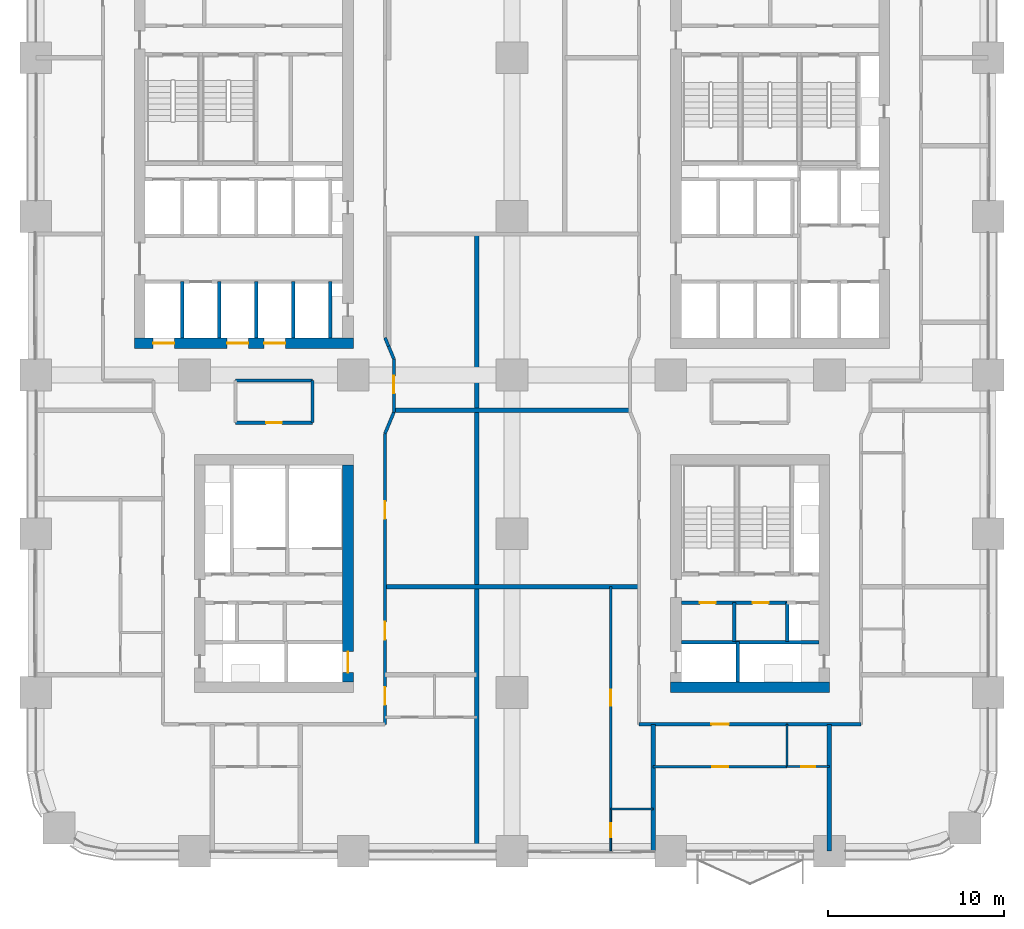
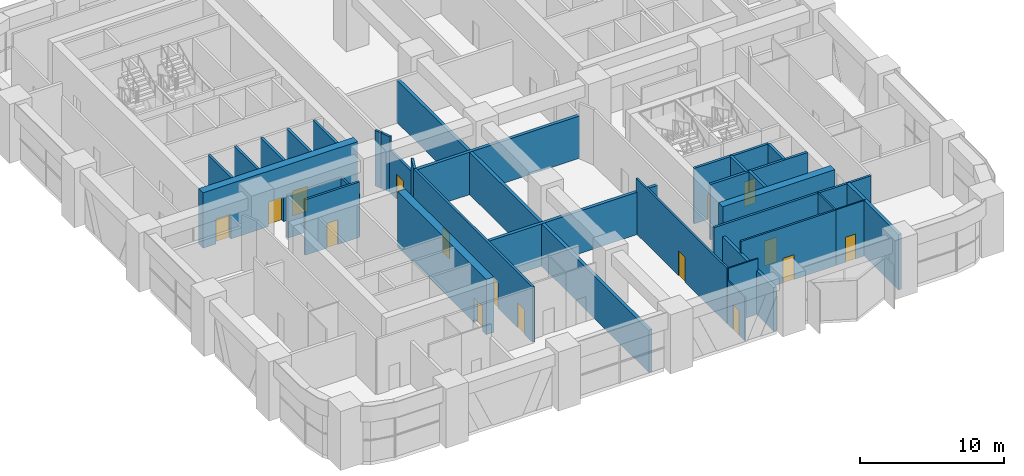
# One storey, part 16 of 26: 33 walls, 16 doors, 16 openings.
"""IFC4 building model written with IfcOpenShell, lengths in metres."""

import ifcopenshell
import ifcopenshell.guid

model = None  # the IFC model being written
_history = None  # IfcOwnerHistory: only IFC2X3 demands one
_inside = {}  # id of a spatial element -> (the spatial element, [elements in it])
_under = {}  # id of a project, library or spatial element -> (it, [spatial elements below it])
_declared = {}  # id of a project -> (the project, [libraries it declares])
_typed = {}  # id of a type object -> (the type object, [elements of that type])
_made_of = {}  # id of a material, layer set ... -> (it, [elements and type objects made of it])


def new_model(schema):
    """Start an empty IFC model of exactly this schema.

    Asked for "IFC4X3", IfcOpenShell would pick the latest addendum, in which some entities
    have other attributes; the version numbers below select the first issue.
    IFC2X3 requires an IfcOwnerHistory on every rooted entity: one is made here for all.
    """
    global model, _history
    if schema == "IFC4X3":
        model = ifcopenshell.file(schema_version=(4, 3, 0, 0))
    else:
        model = ifcopenshell.file(schema=schema)
    _inside.clear()
    _under.clear()
    _declared.clear()
    _typed.clear()
    _made_of.clear()
    _history = None
    if model.schema == "IFC2X3":
        org = make("IfcOrganization", Name="unknown")
        user = make(
            "IfcPersonAndOrganization",
            ThePerson=make("IfcPerson", FamilyName="unknown"),
            TheOrganization=org,
        )
        app = make(
            "IfcApplication",
            ApplicationDeveloper=org,
            Version="unknown",
            ApplicationFullName="unknown",
            ApplicationIdentifier="unknown",
        )
        _history = make(
            "IfcOwnerHistory",
            OwningUser=user,
            OwningApplication=app,
            ChangeAction="ADDED",
            CreationDate=0,
        )
    return model


def make(cls, **values):
    """One entity of the class cls with the attributes given. An attribute that is None is left unset."""
    return model.create_entity(
        cls, **{name: value for name, value in values.items() if value is not None}
    )


def rooted(cls, **values):
    """An entity with a GlobalId (a new one), such as an element, a storey or a relation."""
    return make(cls, GlobalId=ifcopenshell.guid.new(), OwnerHistory=_history, **values)


def si_unit(unit_type, name, prefix=None):
    """IfcSIUnit, for example si_unit("LENGTHUNIT", "METRE", prefix="MILLI")."""
    return make("IfcSIUnit", UnitType=unit_type, Prefix=prefix, Name=name)


def assignment(units):
    """IfcUnitAssignment: the units of a project."""
    return None if units is None else make("IfcUnitAssignment", Units=units)


def point(xyz):
    """IfcCartesianPoint."""
    return None if xyz is None else make("IfcCartesianPoint", Coordinates=xyz)


def direction(xyz):
    """IfcDirection."""
    return None if xyz is None else make("IfcDirection", DirectionRatios=xyz)


def frame(location, z_axis=None, x_axis=None):
    """IfcAxis2Placement3D, a coordinate frame: its origin and axes. An axis left out is left unset."""
    return make(
        "IfcAxis2Placement3D",
        Location=point(location),
        Axis=direction(z_axis),
        RefDirection=direction(x_axis),
    )


def frame_2d(location, x_axis=None):
    """IfcAxis2Placement2D, a coordinate frame in the plane: its origin and x axis."""
    return make(
        "IfcAxis2Placement2D", Location=point(location), RefDirection=direction(x_axis)
    )


def origin():
    """The frame at (0, 0, 0) with its axes left unset."""
    return frame((0.0, 0.0, 0.0))


def place(relative_to, where):
    """IfcLocalPlacement: puts the frame where relative to a parent placement (None: the world)."""
    return make(
        "IfcLocalPlacement", PlacementRelTo=relative_to, RelativePlacement=where
    )


def context(
    kind, dimensions, precision=None, world=None, true_north=None, identifier=None
):
    """IfcGeometricRepresentationContext, for example the 3D "Model" context."""
    return make(
        "IfcGeometricRepresentationContext",
        ContextIdentifier=identifier,
        ContextType=kind,
        CoordinateSpaceDimension=dimensions,
        Precision=precision,
        WorldCoordinateSystem=world,
        TrueNorth=true_north,
    )


def subcontext(parent, identifier, kind, view, scale=None):
    """IfcGeometricRepresentationSubContext, for example "Body" below "Model"."""
    return make(
        "IfcGeometricRepresentationSubContext",
        ContextIdentifier=identifier,
        ContextType=kind,
        ParentContext=parent,
        TargetScale=scale,
        TargetView=view,
    )


def project(units=None, contexts=None):
    """IfcProject with its units and contexts."""
    return rooted(
        "IfcProject",
        Name="project",
        RepresentationContexts=contexts,
        UnitsInContext=assignment(units),
    )


def spatial(cls, under=None, at=None, **own):
    """A site, building, storey or space (cls), placed at a placement, below another one or the project."""
    s = rooted(cls, ObjectPlacement=at, **own)
    if under is not None:
        _under.setdefault(under.id(), (under, []))[1].append(s)
    return s


def profile(cls, at=None, kind="AREA", **sizes):
    """A parametric profile (cls). Its sizes go by their IFC names, for example OverallWidth=200.0."""
    return make(cls, ProfileType=kind, Position=at, **sizes)


def rectangle(**sizes):
    """IfcRectangleProfileDef."""
    return profile("IfcRectangleProfileDef", **sizes)


def extrude(swept, where, along, depth):
    """IfcExtrudedAreaSolid: the profile swept, set in the frame where, extruded along a direction by depth."""
    return make(
        "IfcExtrudedAreaSolid",
        SweptArea=swept,
        Position=where,
        ExtrudedDirection=direction(along),
        Depth=depth,
    )


def shape(context_of_items, identifier, shape_type, items):
    """IfcShapeRepresentation: the items that make up one representation, for example the "Body"."""
    return make(
        "IfcShapeRepresentation",
        ContextOfItems=context_of_items,
        RepresentationIdentifier=identifier,
        RepresentationType=shape_type,
        Items=items,
    )


def material(Name=None, Category=None):
    """IfcMaterial."""
    return make("IfcMaterial", Name=Name, Category=Category)


def layer(
    of_material, thickness, ventilated=None, Name=None, Category=None, Priority=None
):
    """IfcMaterialLayer: one layer of a wall or slab, of a material (None: an air gap)."""
    return make(
        "IfcMaterialLayer",
        Material=of_material,
        LayerThickness=thickness,
        IsVentilated=ventilated,
        Name=Name,
        Category=Category,
        Priority=Priority,
    )


def layer_set(layers, Name=None):
    """IfcMaterialLayerSet."""
    return make("IfcMaterialLayerSet", MaterialLayers=layers, LayerSetName=Name)


def made_of(thing, what):
    """Note that an element or type object is made of a material, layer set ...; save() writes the relation."""
    if what is not None:
        _made_of.setdefault(what.id(), (what, []))[1].append(thing)
    return thing


def type_object(cls, material=None, **own):
    """A type object (cls), such as IfcWallType, which elements share."""
    return made_of(rooted(cls, **own), material)


def element(
    cls,
    number,
    at=None,
    inside=None,
    cuts=None,
    type_object=None,
    material=None,
    context=None,
    identifier="Body",
    shape_type=None,
    held_by="IfcProductDefinitionShape",
    body=None,
    shapes=None,
    **own,
):
    """One element of the class cls, such as IfcWall. Its Tag is "e" and its number.

    at: its placement. inside: the storey or other place that contains it. cuts: it is an
    opening in that element (IfcRelVoidsElement). A single representation is given by context,
    identifier, shape_type and body (its items); several are given by shapes. held_by: the class
    of the entity that holds the representations. save() writes the other relations.
    """
    e = rooted(cls, Tag="e%d" % number, ObjectPlacement=at, **own)
    if body is not None:
        shapes = [shape(context, identifier, shape_type, body)]
    if shapes is not None:
        e.Representation = make(held_by, Representations=shapes)
    if inside is not None:
        _inside.setdefault(inside.id(), (inside, []))[1].append(e)
    if cuts is not None:
        rooted(
            "IfcRelVoidsElement", RelatingBuildingElement=cuts, RelatedOpeningElement=e
        )
    if type_object is not None:
        _typed.setdefault(type_object.id(), (type_object, []))[1].append(e)
    return made_of(e, material)


def fill(opening, filler):
    """IfcRelFillsElement: the door or window that sits in an opening."""
    return rooted(
        "IfcRelFillsElement",
        RelatingOpeningElement=opening,
        RelatedBuildingElement=filler,
    )


def aggregate(whole, parts):
    """IfcRelAggregates: a whole, such as a stair, and the parts it consists of."""
    return rooted("IfcRelAggregates", RelatingObject=whole, RelatedObjects=parts)


def save(model, path):
    """Write the relations noted so far, then the file.

    IfcRelAggregates (storeys below a building ...), IfcRelContainedInSpatialStructure (elements
    in a storey), IfcRelDefinesByType, IfcRelAssociatesMaterial and IfcRelDeclares: one each for
    every whole, place, type object, material and project.
    """
    for whole, parts in _under.values():
        aggregate(whole, parts)
    for where, things in _inside.values():
        rooted(
            "IfcRelContainedInSpatialStructure",
            RelatedElements=things,
            RelatingStructure=where,
        )
    for kind, things in _typed.values():
        rooted("IfcRelDefinesByType", RelatedObjects=things, RelatingType=kind)
    for what, things in _made_of.values():
        rooted("IfcRelAssociatesMaterial", RelatedObjects=things, RelatingMaterial=what)
    for by, libraries in _declared.values():
        rooted("IfcRelDeclares", RelatingContext=by, RelatedDefinitions=libraries)
    model.write(path)


model = new_model("IFC4")

# Units and contexts
model_context = context("Model", 3, precision=1e-05, world=origin(), true_north=direction((0.0, 1.0)))
body_context = subcontext(model_context, "Body", "Model", "MODEL_VIEW")
ifc_project = project(units=[si_unit("LENGTHUNIT", "METRE"), si_unit("AREAUNIT", "SQUARE_METRE"), si_unit("VOLUMEUNIT", "CUBIC_METRE"), si_unit("PLANEANGLEUNIT", "RADIAN"), si_unit("MASSUNIT", "GRAM", prefix="KILO")], contexts=[model_context])

# Site, building, storey
site_placement = place(None, origin())
site = spatial("IfcSite", under=ifc_project, at=site_placement, CompositionType="ELEMENT")
building_placement = place(site_placement, origin())
building = spatial("IfcBuilding", under=site, at=building_placement, Name="Tessera Arch", CompositionType="ELEMENT")
storey_placement = place(building_placement, frame((0.0, 0.0, 72.800048828125)))
storey = spatial("IfcBuildingStorey", under=building, at=storey_placement, Name="L16", CompositionType="ELEMENT", Elevation=72.800048828125)

# Wall
ifc_material_1 = material(Name="Gypsum board on steel stud", Category="steel")
ifc_layer_1 = layer(ifc_material_1, 0.125)
ifc_layer_set_1 = layer_set([ifc_layer_1], Name="Core partition 125 EI 60")
wall_type_1 = type_object("IfcWallType", Name="Core partition 125 EI 60", PredefinedType="PARTITIONING", material=ifc_layer_set_1)
wall_1_placement = place(storey_placement, frame((39.60009765625, 11.89990234375, 0.0), z_axis=(0.0, 0.0, 1.0), x_axis=(0.0, 1.0, 0.0)))
element("IfcWall", 1, at=wall_1_placement, inside=storey, type_object=wall_type_1, Name="L16 C3 partition wall 1", PredefinedType="PARTITIONING", context=body_context, shape_type="SweptSolid", body=[
    extrude(rectangle(XDim=2.2001953125, YDim=0.199951171875, at=frame_2d((1.10009765625, 0.0))), origin(), (0.0, 0.0, 1.0), 4.699951171875),
])

# Wall, openings, doors
wall_2_placement = place(storey_placement, frame((36.60009765625, 14.10009765625, 0.0), z_axis=(0.0, 0.0, 1.0), x_axis=(1.0, 0.0, 0.0)))
wall_2 = element("IfcWall", 2, at=wall_2_placement, inside=storey, type_object=wall_type_1, Name="L16 C3 partition wall 11", PredefinedType="PARTITIONING", context=body_context, shape_type="SweptSolid", body=[
    extrude(rectangle(XDim=6.0, YDim=0.199951171875, at=frame_2d((3.0, 0.0))), origin(), (0.0, 0.0, 1.0), 4.699951171875),
])
opening_1_placement = place(wall_2_placement, frame((1.050048828125, 0.0, 0.0)))
opening_1 = element("IfcOpeningElement", 3, at=opening_1_placement, cuts=wall_2, Name="Opening L16-C39", PredefinedType="OPENING", context=body_context, shape_type="SweptSolid", body=[
    extrude(rectangle(XDim=0.89990234375, YDim=2.10009765625, at=frame_2d((0.449951171875, 1.050048828125))), frame((0.0, 0.10986328125, 0.0), z_axis=(0.0, -1.0, 0.0), x_axis=(1.0, 0.0, 0.0)), (0.0, 0.0, 1.0), 0.219970703125),
])
opening_2_placement = place(wall_2_placement, frame((4.050048828125, 0.0, 0.0)))
opening_2 = element("IfcOpeningElement", 4, at=opening_2_placement, cuts=wall_2, Name="Opening L16-C40", PredefinedType="OPENING", context=body_context, shape_type="SweptSolid", body=[
    extrude(rectangle(XDim=0.89990234375, YDim=2.10009765625, at=frame_2d((0.449951171875, 1.050048828125))), frame((0.0, 0.10986328125, 0.0), z_axis=(0.0, -1.0, 0.0), x_axis=(1.0, 0.0, 0.0)), (0.0, 0.0, 1.0), 0.219970703125),
])
ifc_material_2 = material(Name="Steel door leaf", Category="steel")
door_type_1 = type_object("IfcDoorType", Name="Store door FD30S 900 x 2100", OperationType="SINGLE_SWING_LEFT", PredefinedType="DOOR", material=ifc_material_2)
door_1_placement = place(opening_1_placement, origin())
door_1 = element("IfcDoor", 5, at=door_1_placement, inside=storey, type_object=door_type_1, Name="L16 C3 door 8 C39 type D09", OperationType="SINGLE_SWING_LEFT", OverallHeight=2.10009765625, OverallWidth=0.89990234375, PredefinedType="DOOR", context=body_context, shape_type="SweptSolid", body=[
    extrude(rectangle(XDim=0.89990234375, YDim=2.10009765625, at=frame_2d((0.449951171875, 1.050048828125))), frame((0.0, 0.02490234375, 0.0), z_axis=(0.0, -1.0, 0.0), x_axis=(1.0, 0.0, 0.0)), (0.0, 0.0, 1.0), 0.050048828125),
])
fill(opening_1, door_1)
door_2_placement = place(opening_2_placement, origin())
door_2 = element("IfcDoor", 6, at=door_2_placement, inside=storey, type_object=door_type_1, Name="L16 C3 door 9 C40 type D09", OperationType="SINGLE_SWING_RIGHT", OverallHeight=2.10009765625, OverallWidth=0.89990234375, PredefinedType="DOOR", context=body_context, shape_type="SweptSolid", body=[
    extrude(rectangle(XDim=0.89990234375, YDim=2.10009765625, at=frame_2d((0.449951171875, 1.050048828125))), frame((0.0, 0.02490234375, 0.0), z_axis=(0.0, -1.0, 0.0), x_axis=(1.0, 0.0, 0.0)), (0.0, 0.0, 1.0), 0.050048828125),
])
fill(opening_2, door_2)

ifc_material_3 = material(Name="Concrete C70/85", Category="concrete")
ifc_layer_2 = layer(ifc_material_3, 0.60009765625)
ifc_layer_set_2 = layer_set([ifc_layer_2], Name="Core shell wall 600 C70-85")
wall_type_2 = type_object("IfcWallType", Name="Core shell wall 600 C70-85", PredefinedType="SHEAR", material=ifc_layer_set_2)
wall_3_placement = place(storey_placement, frame((5.60009765625, 28.800048828125, 0.0), z_axis=(0.0, 0.0, 1.0), x_axis=(1.0, 0.0, 0.0)))
wall_3 = element("IfcWall", 7, at=wall_3_placement, inside=storey, type_object=wall_type_2, Name="L16 C2 core wall S", PredefinedType="SHEAR", context=body_context, shape_type="SweptSolid", body=[
    extrude(rectangle(XDim=12.39990234375, YDim=0.60009765625, at=frame_2d((6.199951171875, 0.0))), origin(), (0.0, 0.0, 1.0), 4.699951171875),
])
opening_3_placement = place(wall_3_placement, frame((1.050048828125, 0.0, 0.0)))
opening_3 = element("IfcOpeningElement", 8, at=opening_3_placement, cuts=wall_3, Name="Opening L16-C14", PredefinedType="OPENING", context=body_context, shape_type="SweptSolid", body=[
    extrude(rectangle(XDim=1.199951171875, YDim=2.10009765625, at=frame_2d((0.60009765625, 1.050048828125))), frame((0.0, 0.31005859375, 0.0), z_axis=(0.0, -1.0, 0.0), x_axis=(1.0, 0.0, 0.0)), (0.0, 0.0, 1.0), 0.6201171875),
])
opening_4_placement = place(wall_3_placement, frame((5.25, 0.0, 0.0)))
opening_4 = element("IfcOpeningElement", 9, at=opening_4_placement, cuts=wall_3, Name="Opening L16-C16", PredefinedType="OPENING", context=body_context, shape_type="SweptSolid", body=[
    extrude(rectangle(XDim=1.199951171875, YDim=2.10009765625, at=frame_2d((0.60009765625, 1.050048828125))), frame((0.0, 0.31005859375, 0.0), z_axis=(0.0, -1.0, 0.0), x_axis=(1.0, 0.0, 0.0)), (0.0, 0.0, 1.0), 0.6201171875),
])
opening_5_placement = place(wall_3_placement, frame((7.35009765625, 0.0, 0.0)))
opening_5 = element("IfcOpeningElement", 10, at=opening_5_placement, cuts=wall_3, Name="Opening L16-C17", PredefinedType="OPENING", context=body_context, shape_type="SweptSolid", body=[
    extrude(rectangle(XDim=1.199951171875, YDim=2.10009765625, at=frame_2d((0.60009765625, 1.050048828125))), frame((0.0, 0.31005859375, 0.0), z_axis=(0.0, -1.0, 0.0), x_axis=(1.0, 0.0, 0.0)), (0.0, 0.0, 1.0), 0.6201171875),
])
ifc_material_4 = material(Name="Stainless steel AISI 304", Category="steel")
door_type_2 = type_object("IfcDoorType", Name="Sliding landing door 1200 x 2100", OperationType="SLIDING_TO_LEFT", PredefinedType="DOOR", material=ifc_material_4)
door_3_placement = place(opening_3_placement, origin())
door_3 = element("IfcDoor", 11, at=door_3_placement, inside=storey, type_object=door_type_2, Name="L16 LR1 lift landing door C14 type LD", OperationType="SLIDING_TO_LEFT", OverallHeight=2.10009765625, OverallWidth=1.199951171875, PredefinedType="DOOR", context=body_context, shape_type="SweptSolid", body=[
    extrude(rectangle(XDim=1.199951171875, YDim=2.10009765625, at=frame_2d((0.60009765625, 1.050048828125))), frame((0.0, 0.02490234375, 0.0), z_axis=(0.0, -1.0, 0.0), x_axis=(1.0, 0.0, 0.0)), (0.0, 0.0, 1.0), 0.050048828125),
])
fill(opening_3, door_3)
door_4_placement = place(opening_4_placement, origin())
door_4 = element("IfcDoor", 12, at=door_4_placement, inside=storey, type_object=door_type_2, Name="L16 LR3 lift landing door C16 type LD", OperationType="SLIDING_TO_LEFT", OverallHeight=2.10009765625, OverallWidth=1.199951171875, PredefinedType="DOOR", context=body_context, shape_type="SweptSolid", body=[
    extrude(rectangle(XDim=1.199951171875, YDim=2.10009765625, at=frame_2d((0.60009765625, 1.050048828125))), frame((0.0, 0.02490234375, 0.0), z_axis=(0.0, -1.0, 0.0), x_axis=(1.0, 0.0, 0.0)), (0.0, 0.0, 1.0), 0.050048828125),
])
fill(opening_4, door_4)
door_5_placement = place(opening_5_placement, origin())
door_5 = element("IfcDoor", 13, at=door_5_placement, inside=storey, type_object=door_type_2, Name="L16 LR4 lift landing door C17 type LD", OperationType="SLIDING_TO_LEFT", OverallHeight=2.10009765625, OverallWidth=1.199951171875, PredefinedType="DOOR", context=body_context, shape_type="SweptSolid", body=[
    extrude(rectangle(XDim=1.199951171875, YDim=2.10009765625, at=frame_2d((0.60009765625, 1.050048828125))), frame((0.0, 0.02490234375, 0.0), z_axis=(0.0, -1.0, 0.0), x_axis=(1.0, 0.0, 0.0)), (0.0, 0.0, 1.0), 0.050048828125),
])
fill(opening_5, door_5)

# Wall
wall_4_placement = place(storey_placement, frame((36.0, 9.300048828125, 0.0), z_axis=(0.0, 0.0, 1.0), x_axis=(1.0, 0.0, 0.0)))
element("IfcWall", 14, at=wall_4_placement, inside=storey, type_object=wall_type_2, Name="L16 C3 core wall S", PredefinedType="SHEAR", context=body_context, shape_type="SweptSolid", body=[
    extrude(rectangle(XDim=9.0, YDim=0.60009765625, at=frame_2d((4.5, 0.0))), origin(), (0.0, 0.0, 1.0), 4.699951171875),
])

# Wall, opening, door
wall_5_placement = place(storey_placement, frame((17.699951171875, 9.60009765625, 0.0), z_axis=(0.0, 0.0, 1.0), x_axis=(0.0, 1.0, 0.0)))
wall_5 = element("IfcWall", 15, at=wall_5_placement, inside=storey, type_object=wall_type_2, Name="L16 C4 core wall E", PredefinedType="SHEAR", context=body_context, shape_type="SweptSolid", body=[
    extrude(rectangle(XDim=12.2998046875, YDim=0.60009765625, at=frame_2d((6.14990234375, 0.0))), origin(), (0.0, 0.0, 1.0), 4.699951171875),
])
opening_6_placement = place(wall_5_placement, frame((0.52490234375, 0.0, 0.0)))
opening_6 = element("IfcOpeningElement", 16, at=opening_6_placement, cuts=wall_5, Name="Opening L16-C41", PredefinedType="OPENING", context=body_context, shape_type="SweptSolid", body=[
    extrude(rectangle(XDim=1.199951171875, YDim=2.10009765625, at=frame_2d((0.60009765625, 1.050048828125))), frame((0.0, 0.31005859375, 0.0), z_axis=(0.0, -1.0, 0.0), x_axis=(1.0, 0.0, 0.0)), (0.0, 0.0, 1.0), 0.6201171875),
])
door_6_placement = place(opening_6_placement, origin())
door_6 = element("IfcDoor", 17, at=door_6_placement, inside=storey, type_object=door_type_2, Name="L16 SV3 lift landing door C41 type LD", OperationType="SLIDING_TO_LEFT", OverallHeight=2.10009765625, OverallWidth=1.199951171875, PredefinedType="DOOR", context=body_context, shape_type="SweptSolid", body=[
    extrude(rectangle(XDim=1.199951171875, YDim=2.10009765625, at=frame_2d((0.60009765625, 1.050048828125))), frame((0.0, 0.02490234375, 0.0), z_axis=(0.0, -1.0, 0.0), x_axis=(1.0, 0.0, 0.0)), (0.0, 0.0, 1.0), 0.050048828125),
])
fill(opening_6, door_6)

ifc_material_5 = material(Name="Gypsum board on deep steel stud with mineral wool", Category="steel")
ifc_layer_3 = layer(ifc_material_5, 0.175048828125)
ifc_layer_set_3 = layer_set([ifc_layer_3], Name="Corridor wall 175 EI 60")
wall_type_3 = type_object("IfcWallType", Name="Corridor wall 175 EI 60", PredefinedType="PARTITIONING", material=ifc_layer_set_3)
wall_6_placement = place(storey_placement, frame((34.199951171875, 7.199951171875, 0.0), z_axis=(0.0, 0.0, 1.0), x_axis=(1.0, 0.0, 0.0)))
wall_6 = element("IfcWall", 18, at=wall_6_placement, inside=storey, type_object=wall_type_3, Name="L16 partition 2", PredefinedType="PARTITIONING", context=body_context, shape_type="SweptSolid", body=[
    extrude(rectangle(XDim=12.60009765625, YDim=0.175048828125, at=frame_2d((6.300048828125, 0.0))), origin(), (0.0, 0.0, 1.0), 4.699951171875),
])
opening_7_placement = place(wall_6_placement, frame((4.10009765625, 0.0, 0.0)))
opening_7 = element("IfcOpeningElement", 19, at=opening_7_placement, cuts=wall_6, Name="Opening L16-D004", PredefinedType="OPENING", context=body_context, shape_type="SweptSolid", body=[
    extrude(rectangle(XDim=1.0, YDim=2.10009765625, at=frame_2d((0.5, 1.050048828125))), frame((0.0, 0.097412109375, 0.0), z_axis=(0.0, -1.0, 0.0), x_axis=(1.0, 0.0, 0.0)), (0.0, 0.0, 1.0), 0.195068359375),
])
ifc_material_6 = material(Name="Fire-rated door leaf")
door_type_3 = type_object("IfcDoorType", Name="Entrance door FD30S 1000 x 2100", OperationType="SINGLE_SWING_LEFT", PredefinedType="DOOR", material=ifc_material_6)
door_7_placement = place(opening_7_placement, origin())
door_7 = element("IfcDoor", 20, at=door_7_placement, inside=storey, type_object=door_type_3, Name="L16 door D004 type D03", OperationType="SINGLE_SWING_LEFT", OverallHeight=2.10009765625, OverallWidth=1.0, PredefinedType="DOOR", context=body_context, shape_type="SweptSolid", body=[
    extrude(rectangle(XDim=1.0, YDim=2.10009765625, at=frame_2d((0.5, 1.050048828125))), frame((0.0, 0.02490234375, 0.0), z_axis=(0.0, -1.0, 0.0), x_axis=(1.0, 0.0, 0.0)), (0.0, 0.0, 1.0), 0.050048828125),
])
fill(opening_7, door_7)

wall_7_placement = place(storey_placement, frame((11.320068359375, 24.300048828125, 0.0), z_axis=(0.0, 0.0, 1.0), x_axis=(1.0, 0.0, 0.0)))
wall_7 = element("IfcWall", 21, at=wall_7_placement, inside=storey, type_object=wall_type_3, Name="L16 partition 3", PredefinedType="PARTITIONING", context=body_context, shape_type="SweptSolid", body=[
    extrude(rectangle(XDim=4.35986328125, YDim=0.175048828125, at=frame_2d((2.179931640625, 0.0))), origin(), (0.0, 0.0, 1.0), 4.699951171875),
])
opening_8_placement = place(wall_7_placement, frame((1.72998046875, 0.0, 0.0)))
opening_8 = element("IfcOpeningElement", 22, at=opening_8_placement, cuts=wall_7, Name="Opening L16-D028", PredefinedType="OPENING", context=body_context, shape_type="SweptSolid", body=[
    extrude(rectangle(XDim=0.89990234375, YDim=2.10009765625, at=frame_2d((0.449951171875, 1.050048828125))), frame((0.0, 0.097412109375, 0.0), z_axis=(0.0, -1.0, 0.0), x_axis=(1.0, 0.0, 0.0)), (0.0, 0.0, 1.0), 0.195068359375),
])
ifc_material_7 = material(Name="Timber door leaf", Category="wood")
door_type_4 = type_object("IfcDoorType", Name="Room door 900 x 2100", OperationType="SINGLE_SWING_LEFT", PredefinedType="DOOR", material=ifc_material_7)
door_8_placement = place(opening_8_placement, origin())
door_8 = element("IfcDoor", 23, at=door_8_placement, inside=storey, type_object=door_type_4, Name="L16 door D028 type D01", OperationType="SINGLE_SWING_RIGHT", OverallHeight=2.10009765625, OverallWidth=0.89990234375, PredefinedType="DOOR", context=body_context, shape_type="SweptSolid", body=[
    extrude(rectangle(XDim=0.89990234375, YDim=2.10009765625, at=frame_2d((0.449951171875, 1.050048828125))), frame((0.0, 0.02490234375, 0.0), z_axis=(0.0, -1.0, 0.0), x_axis=(1.0, 0.0, 0.0)), (0.0, 0.0, 1.0), 0.050048828125),
])
fill(opening_8, door_8)

# Walls
wall_8_placement = place(storey_placement, frame((11.320068359375, 26.699951171875, 0.0), z_axis=(0.0, 0.0, 1.0), x_axis=(1.0, 0.0, 0.0)))
element("IfcWall", 24, at=wall_8_placement, inside=storey, type_object=wall_type_3, Name="L16 partition 6", PredefinedType="PARTITIONING", context=body_context, shape_type="SweptSolid", body=[
    extrude(rectangle(XDim=4.35986328125, YDim=0.175048828125, at=frame_2d((2.179931640625, 0.0))), origin(), (0.0, 0.0, 1.0), 3.58984375),
])
wall_9_placement = place(storey_placement, frame((15.679931640625, 24.300048828125, 0.0), z_axis=(0.0, 0.0, 1.0), x_axis=(0.0, 1.0, 0.0)))
element("IfcWall", 25, at=wall_9_placement, inside=storey, type_object=wall_type_3, Name="L16 partition 15", PredefinedType="PARTITIONING", context=body_context, shape_type="SweptSolid", body=[
    extrude(rectangle(XDim=2.39990234375, YDim=0.175048828125, at=frame_2d((1.199951171875, 0.0))), origin(), (0.0, 0.0, 1.0), 3.58984375),
])

# Wall, openings, doors
wall_10_placement = place(storey_placement, frame((19.800048828125, 7.199951171875, 0.0), z_axis=(0.0, 0.0, 1.0), x_axis=(0.0, 1.0, 0.0)))
wall_10 = element("IfcWall", 26, at=wall_10_placement, inside=storey, type_object=wall_type_3, Name="L16 partition 16", PredefinedType="PARTITIONING", context=body_context, shape_type="SweptSolid", body=[
    extrude(rectangle(XDim=16.489990234375, YDim=0.175048828125, at=frame_2d((8.2451171875, 0.0))), origin(), (0.0, 0.0, 1.0), 4.699951171875),
])
opening_9_placement = place(wall_10_placement, frame((1.10009765625, 0.0, 0.0)))
opening_9 = element("IfcOpeningElement", 27, at=opening_9_placement, cuts=wall_10, Name="Opening L16-D007", PredefinedType="OPENING", context=body_context, shape_type="SweptSolid", body=[
    extrude(rectangle(XDim=1.0, YDim=2.10009765625, at=frame_2d((0.5, 1.050048828125))), frame((0.0, 0.097412109375, 0.0), z_axis=(0.0, -1.0, 0.0), x_axis=(1.0, 0.0, 0.0)), (0.0, 0.0, 1.0), 0.195068359375),
])
opening_10_placement = place(wall_10_placement, frame((4.800048828125, 0.0, 0.0)))
opening_10 = element("IfcOpeningElement", 28, at=opening_10_placement, cuts=wall_10, Name="Opening L16-D015", PredefinedType="OPENING", context=body_context, shape_type="SweptSolid", body=[
    extrude(rectangle(XDim=1.0, YDim=2.10009765625, at=frame_2d((0.5, 1.050048828125))), frame((0.0, 0.097412109375, 0.0), z_axis=(0.0, -1.0, 0.0), x_axis=(1.0, 0.0, 0.0)), (0.0, 0.0, 1.0), 0.195068359375),
])
opening_11_placement = place(wall_10_placement, frame((11.64501953125, 0.0, 0.0)))
opening_11 = element("IfcOpeningElement", 29, at=opening_11_placement, cuts=wall_10, Name="Opening L16-D022", PredefinedType="OPENING", context=body_context, shape_type="SweptSolid", body=[
    extrude(rectangle(XDim=1.0, YDim=2.10009765625, at=frame_2d((0.5, 1.050048828125))), frame((0.0, 0.097412109375, 0.0), z_axis=(0.0, -1.0, 0.0), x_axis=(1.0, 0.0, 0.0)), (0.0, 0.0, 1.0), 0.195068359375),
])
door_9_placement = place(opening_9_placement, origin())
door_9 = element("IfcDoor", 30, at=door_9_placement, inside=storey, type_object=door_type_3, Name="L16 door D007 type D03", OperationType="SINGLE_SWING_RIGHT", OverallHeight=2.10009765625, OverallWidth=1.0, PredefinedType="DOOR", context=body_context, shape_type="SweptSolid", body=[
    extrude(rectangle(XDim=1.0, YDim=2.10009765625, at=frame_2d((0.5, 1.050048828125))), frame((0.0, 0.02490234375, 0.0), z_axis=(0.0, -1.0, 0.0), x_axis=(1.0, 0.0, 0.0)), (0.0, 0.0, 1.0), 0.050048828125),
])
fill(opening_9, door_9)
door_10_placement = place(opening_10_placement, origin())
door_10 = element("IfcDoor", 31, at=door_10_placement, inside=storey, type_object=door_type_3, Name="L16 door D015 type D03", OperationType="SINGLE_SWING_RIGHT", OverallHeight=2.10009765625, OverallWidth=1.0, PredefinedType="DOOR", context=body_context, shape_type="SweptSolid", body=[
    extrude(rectangle(XDim=1.0, YDim=2.10009765625, at=frame_2d((0.5, 1.050048828125))), frame((0.0, 0.02490234375, 0.0), z_axis=(0.0, -1.0, 0.0), x_axis=(1.0, 0.0, 0.0)), (0.0, 0.0, 1.0), 0.050048828125),
])
fill(opening_10, door_10)
door_11_placement = place(opening_11_placement, origin())
door_11 = element("IfcDoor", 32, at=door_11_placement, inside=storey, type_object=door_type_3, Name="L16 door D022 type D03", OperationType="SINGLE_SWING_LEFT", OverallHeight=2.10009765625, OverallWidth=1.0, PredefinedType="DOOR", context=body_context, shape_type="SweptSolid", body=[
    extrude(rectangle(XDim=1.0, YDim=2.10009765625, at=frame_2d((0.5, 1.050048828125))), frame((0.0, 0.02490234375, 0.0), z_axis=(0.0, -1.0, 0.0), x_axis=(1.0, 0.0, 0.0)), (0.0, 0.0, 1.0), 0.050048828125),
])
fill(opening_11, door_11)

# Wall, opening, door
wall_11_placement = place(storey_placement, frame((20.300048828125, 24.889892578125, 0.0), z_axis=(0.0, 0.0, 1.0), x_axis=(0.0, 1.0, 0.0)))
wall_11 = element("IfcWall", 33, at=wall_11_placement, inside=storey, type_object=wall_type_3, Name="L16 partition 18", PredefinedType="PARTITIONING", context=body_context, shape_type="SweptSolid", body=[
    extrude(rectangle(XDim=3.030029296875, YDim=0.175048828125, at=frame_2d((1.51513671875, 0.0))), origin(), (0.0, 0.0, 1.0), 3.58984375),
])
opening_12_placement = place(wall_11_placement, frame((1.070068359375, 0.0, 0.0)))
opening_12 = element("IfcOpeningElement", 34, at=opening_12_placement, cuts=wall_11, Name="Opening L16-D032", PredefinedType="OPENING", context=body_context, shape_type="SweptSolid", body=[
    extrude(rectangle(XDim=1.0, YDim=2.10009765625, at=frame_2d((0.5, 1.050048828125))), frame((0.0, 0.097412109375, 0.0), z_axis=(0.0, -1.0, 0.0), x_axis=(1.0, 0.0, 0.0)), (0.0, 0.0, 1.0), 0.195068359375),
])
door_12_placement = place(opening_12_placement, origin())
door_12 = element("IfcDoor", 35, at=door_12_placement, inside=storey, type_object=door_type_3, Name="L16 door D032 type D03", OperationType="SINGLE_SWING_LEFT", OverallHeight=2.10009765625, OverallWidth=1.0, PredefinedType="DOOR", context=body_context, shape_type="SweptSolid", body=[
    extrude(rectangle(XDim=1.0, YDim=2.10009765625, at=frame_2d((0.5, 1.050048828125))), frame((0.0, 0.02490234375, 0.0), z_axis=(0.0, -1.0, 0.0), x_axis=(1.0, 0.0, 0.0)), (0.0, 0.0, 1.0), 0.050048828125),
])
fill(opening_12, door_12)

# Walls
wall_12_placement = place(storey_placement, frame((20.300048828125, 24.889892578125, 0.0), z_axis=(0.0, 0.0, 1.0), x_axis=(-0.384628719983, -0.923071366561, 0.0)))
element("IfcWall", 36, at=wall_12_placement, inside=storey, type_object=wall_type_3, Name="L16 partition 79", PredefinedType="PARTITIONING", context=body_context, shape_type="SweptSolid", body=[
    extrude(rectangle(XDim=1.300048828125, YDim=0.175048828125, at=frame_2d((0.64990234375, 0.0))), origin(), (0.0, 0.0, 1.0), 4.699951171875),
])
wall_13_placement = place(storey_placement, frame((20.0, 28.639892578125, 0.0), z_axis=(0.0, 0.0, 1.0), x_axis=(0.384682059045, -0.923049139238, 0.0)))
element("IfcWall", 37, at=wall_13_placement, inside=storey, type_object=wall_type_3, Name="L16 partition 81", PredefinedType="PARTITIONING", context=body_context, shape_type="SweptSolid", body=[
    extrude(rectangle(XDim=0.780029296875, YDim=0.175048828125, at=frame_2d((0.39013671875, 0.0))), origin(), (0.0, 0.0, 1.0), 4.699951171875),
])
wall_14_placement = place(storey_placement, frame((19.800048828125, 29.1201171875, 0.0), z_axis=(0.0, 0.0, 1.0), x_axis=(0.384382095383, -0.92317409233, 0.0)))
element("IfcWall", 38, at=wall_14_placement, inside=storey, type_object=wall_type_3, Name="L16 partition 82", PredefinedType="PARTITIONING", context=body_context, shape_type="SweptSolid", body=[
    extrude(rectangle(XDim=0.520263671875, YDim=0.175048828125, at=frame_2d((0.26025390625, 0.0))), origin(), (0.0, 0.0, 1.0), 4.699951171875),
])

# Wall, opening, door
ifc_material_8 = material(Name="Gypsum board on steel stud", Category="steel")
ifc_layer_4 = layer(ifc_material_8, 0.14990234375)
ifc_layer_set_4 = layer_set([ifc_layer_4], Name="Partition 150")
wall_type_4 = type_object("IfcWallType", Name="Partition 150", PredefinedType="PARTITIONING", material=ifc_layer_set_4)
wall_15_placement = place(storey_placement, frame((35.0, 4.800048828125, 0.0), z_axis=(0.0, 0.0, 1.0), x_axis=(1.0, 0.0, 0.0)))
wall_15 = element("IfcWall", 39, at=wall_15_placement, inside=storey, type_object=wall_type_4, Name="L16 partition 28", PredefinedType="PARTITIONING", context=body_context, shape_type="SweptSolid", body=[
    extrude(rectangle(XDim=7.60009765625, YDim=0.14990234375, at=frame_2d((3.800048828125, 0.0))), origin(), (0.0, 0.0, 1.0), 4.699951171875),
])
opening_13_placement = place(wall_15_placement, frame((3.35009765625, 0.0, 0.0)))
opening_13 = element("IfcOpeningElement", 40, at=opening_13_placement, cuts=wall_15, Name="Opening L16-D005", PredefinedType="OPENING", context=body_context, shape_type="SweptSolid", body=[
    extrude(rectangle(XDim=0.89990234375, YDim=2.10009765625, at=frame_2d((0.449951171875, 1.050048828125))), frame((0.0, 0.0849609375, 0.0), z_axis=(0.0, -1.0, 0.0), x_axis=(1.0, 0.0, 0.0)), (0.0, 0.0, 1.0), 0.169921875),
])
door_13_placement = place(opening_13_placement, origin())
door_13 = element("IfcDoor", 41, at=door_13_placement, inside=storey, type_object=door_type_4, Name="L16 door D005 type D01", OperationType="SINGLE_SWING_RIGHT", OverallHeight=2.10009765625, OverallWidth=0.89990234375, PredefinedType="DOOR", context=body_context, shape_type="SweptSolid", body=[
    extrude(rectangle(XDim=0.89990234375, YDim=2.10009765625, at=frame_2d((0.449951171875, 1.050048828125))), frame((0.0, 0.02490234375, 0.0), z_axis=(0.0, -1.0, 0.0), x_axis=(1.0, 0.0, 0.0)), (0.0, 0.0, 1.0), 0.050048828125),
])
fill(opening_13, door_13)

wall_16_placement = place(storey_placement, frame((32.60009765625, 2.39990234375, 0.0), z_axis=(0.0, 0.0, 1.0), x_axis=(0.0, 1.0, 0.0)))
wall_16 = element("IfcWall", 42, at=wall_16_placement, inside=storey, type_object=wall_type_4, Name="L16 partition 31", PredefinedType="PARTITIONING", context=body_context, shape_type="SweptSolid", body=[
    extrude(rectangle(XDim=12.60009765625, YDim=0.14990234375, at=frame_2d((6.300048828125, 0.0))), origin(), (0.0, 0.0, 1.0), 4.699951171875),
])
opening_14_placement = place(wall_16_placement, frame((5.85009765625, 0.0, 0.0)))
opening_14 = element("IfcOpeningElement", 43, at=opening_14_placement, cuts=wall_16, Name="Opening L16-D013", PredefinedType="OPENING", context=body_context, shape_type="SweptSolid", body=[
    extrude(rectangle(XDim=0.89990234375, YDim=2.10009765625, at=frame_2d((0.449951171875, 1.050048828125))), frame((0.0, 0.0849609375, 0.0), z_axis=(0.0, -1.0, 0.0), x_axis=(1.0, 0.0, 0.0)), (0.0, 0.0, 1.0), 0.169921875),
])
door_14_placement = place(opening_14_placement, origin())
door_14 = element("IfcDoor", 44, at=door_14_placement, inside=storey, type_object=door_type_4, Name="L16 door D013 type D01", OperationType="SINGLE_SWING_LEFT", OverallHeight=2.10009765625, OverallWidth=0.89990234375, PredefinedType="DOOR", context=body_context, shape_type="SweptSolid", body=[
    extrude(rectangle(XDim=0.89990234375, YDim=2.10009765625, at=frame_2d((0.449951171875, 1.050048828125))), frame((0.0, 0.02490234375, 0.0), z_axis=(0.0, -1.0, 0.0), x_axis=(1.0, 0.0, 0.0)), (0.0, 0.0, 1.0), 0.050048828125),
])
fill(opening_14, door_14)

# Walls
ifc_material_9 = material(Name="Double gypsum board on twin steel stud with acoustic mineral wool", Category="steel")
ifc_layer_5 = layer(ifc_material_9, 0.25)
ifc_layer_set_5 = layer_set([ifc_layer_5], Name="Party wall 250 EI 60")
wall_type_5 = type_object("IfcWallType", Name="Party wall 250 EI 60", PredefinedType="PARTITIONING", material=ifc_layer_set_5)
wall_17_placement = place(storey_placement, frame((19.800048828125, 15.0, 0.0), z_axis=(0.0, 0.0, 1.0), x_axis=(1.0, 0.0, 0.0)))
element("IfcWall", 45, at=wall_17_placement, inside=storey, type_object=wall_type_5, Name="L16 partition 37", PredefinedType="PARTITIONING", context=body_context, shape_type="SweptSolid", body=[
    extrude(rectangle(XDim=14.39990234375, YDim=0.25, at=frame_2d((7.199951171875, 0.0))), origin(), (0.0, 0.0, 1.0), 3.58984375),
])
wall_18_placement = place(storey_placement, frame((20.300048828125, 25.0, 0.0), z_axis=(0.0, 0.0, 1.0), x_axis=(1.0, 0.0, 0.0)))
element("IfcWall", 46, at=wall_18_placement, inside=storey, type_object=wall_type_5, Name="L16 partition 41", PredefinedType="PARTITIONING", context=body_context, shape_type="SweptSolid", body=[
    extrude(rectangle(XDim=13.39990234375, YDim=0.25, at=frame_2d((6.699951171875, 0.0))), origin(), (0.0, 0.0, 1.0), 3.58984375),
])
wall_19_placement = place(storey_placement, frame((25.0, 0.0, 0.0), z_axis=(0.0, 0.0, 1.0), x_axis=(0.0, 1.0, 0.0)))
element("IfcWall", 47, at=wall_19_placement, inside=storey, type_object=wall_type_5, Name="L16 partition 56", PredefinedType="PARTITIONING", context=body_context, shape_type="SweptSolid", body=[
    extrude(rectangle(XDim=35.0, YDim=0.25, at=frame_2d((17.5, 0.0))), origin(), (0.0, 0.0, 1.0), 3.58984375),
])
wall_20_placement = place(storey_placement, frame((35.0, 0.0, 0.0), z_axis=(0.0, 0.0, 1.0), x_axis=(0.0, 1.0, 0.0)))
element("IfcWall", 48, at=wall_20_placement, inside=storey, type_object=wall_type_5, Name="L16 partition 58", PredefinedType="PARTITIONING", context=body_context, shape_type="SweptSolid", body=[
    extrude(rectangle(XDim=7.199951171875, YDim=0.25, at=frame_2d((3.60009765625, 0.0))), origin(), (0.0, 0.0, 1.0), 3.699951171875),
])
wall_21_placement = place(storey_placement, frame((45.0, 0.0, 0.0), z_axis=(0.0, 0.0, 1.0), x_axis=(0.0, 1.0, 0.0)))
element("IfcWall", 49, at=wall_21_placement, inside=storey, type_object=wall_type_5, Name="L16 partition 60", PredefinedType="PARTITIONING", context=body_context, shape_type="SweptSolid", body=[
    extrude(rectangle(XDim=7.199951171875, YDim=0.25, at=frame_2d((3.60009765625, 0.0))), origin(), (0.0, 0.0, 1.0), 4.699951171875),
])
ifc_material_10 = material(Name="Concrete C40/50", Category="concrete")
ifc_layer_6 = layer(ifc_material_10, 0.199951171875)
ifc_layer_set_6 = layer_set([ifc_layer_6], Name="Shaft wall 200 EI 120")
wall_type_6 = type_object("IfcWallType", Name="Shaft wall 200 EI 120", PredefinedType="SOLIDWALL", material=ifc_layer_set_6)
for number, where, z_axis, x_axis, name in (
    (50, (8.300048828125, 29.10009765625, 0.0), (0.0, 0.0, 1.0), (0.0, 1.0, 0.0), "L16 C2 shaft wall 1"),
    (51, (10.39990234375, 29.10009765625, 0.0), (0.0, 0.0, 1.0), (0.0, 1.0, 0.0), "L16 C2 shaft wall 7"),
    (52, (12.5, 29.10009765625, 0.0), (0.0, 0.0, 1.0), (0.0, 1.0, 0.0), "L16 C2 shaft wall 9"),
    (53, (14.60009765625, 29.10009765625, 0.0), (0.0, 0.0, 1.0), (0.0, 1.0, 0.0), "L16 C2 shaft wall 15"),
    (54, (16.699951171875, 29.10009765625, 0.0), (0.0, 0.0, 1.0), (0.0, 1.0, 0.0), "L16 C2 shaft wall 17"),
):
    element("IfcWall", number, at=place(storey_placement, frame(where, z_axis=z_axis, x_axis=x_axis)), inside=storey, type_object=wall_type_6, Name=name, PredefinedType="SOLIDWALL", context=body_context, shape_type="SweptSolid", body=[
        extrude(rectangle(XDim=3.199951171875, YDim=0.199951171875, at=frame_2d((1.60009765625, 0.0))), origin(), (0.0, 0.0, 1.0), 4.699951171875),
    ])
wall_22_placement = place(storey_placement, frame((39.800048828125, 9.60009765625, 0.0), z_axis=(0.0, 0.0, 1.0), x_axis=(0.0, 1.0, 0.0)))
element("IfcWall", 55, at=wall_22_placement, inside=storey, type_object=wall_type_6, Name="L16 C3 shaft wall 5", PredefinedType="SOLIDWALL", context=body_context, shape_type="SweptSolid", body=[
    extrude(rectangle(XDim=2.2998046875, YDim=0.199951171875, at=frame_2d((1.14990234375, 0.0))), origin(), (0.0, 0.0, 1.0), 4.699951171875),
])
wall_23_placement = place(storey_placement, frame((42.60009765625, 11.89990234375, 0.0), z_axis=(0.0, 0.0, 1.0), x_axis=(0.0, 1.0, 0.0)))
element("IfcWall", 56, at=wall_23_placement, inside=storey, type_object=wall_type_6, Name="L16 C3 shaft wall 6", PredefinedType="SOLIDWALL", context=body_context, shape_type="SweptSolid", body=[
    extrude(rectangle(XDim=2.2001953125, YDim=0.199951171875, at=frame_2d((1.10009765625, 0.0))), origin(), (0.0, 0.0, 1.0), 4.699951171875),
])
wall_24_placement = place(storey_placement, frame((36.60009765625, 11.85009765625, 0.0), z_axis=(0.0, 0.0, 1.0), x_axis=(1.0, 0.0, 0.0)))
element("IfcWall", 57, at=wall_24_placement, inside=storey, type_object=wall_type_6, Name="L16 C3 shaft wall 10", PredefinedType="SOLIDWALL", context=body_context, shape_type="SweptSolid", body=[
    extrude(rectangle(XDim=7.7998046875, YDim=0.199951171875, at=frame_2d((3.89990234375, 0.0))), origin(), (0.0, 0.0, 1.0), 4.699951171875),
])
ifc_material_11 = material(Name="Moisture-resistant board on pre-plumbed steel stud", Category="steel")
ifc_layer_7 = layer(ifc_material_11, 0.10009765625)
ifc_layer_set_7 = layer_set([ifc_layer_7], Name="Wet wall 100")
wall_type_7 = type_object("IfcWallType", Name="Wet wall 100", PredefinedType="PARTITIONING", material=ifc_layer_set_7)
wall_25_placement = place(storey_placement, frame((32.60009765625, 2.39990234375, 0.0), z_axis=(0.0, 0.0, 1.0), x_axis=(1.0, 0.0, 0.0)))
element("IfcWall", 58, at=wall_25_placement, inside=storey, type_object=wall_type_7, Name="L16 partition 62", PredefinedType="PARTITIONING", context=body_context, shape_type="SweptSolid", body=[
    extrude(rectangle(XDim=2.39990234375, YDim=0.10009765625, at=frame_2d((1.199951171875, 0.0))), origin(), (0.0, 0.0, 1.0), 4.699951171875),
])

# Wall, opening, door
wall_26_placement = place(storey_placement, frame((42.60009765625, 4.800048828125, 0.0), z_axis=(0.0, 0.0, 1.0), x_axis=(1.0, 0.0, 0.0)))
wall_26 = element("IfcWall", 59, at=wall_26_placement, inside=storey, type_object=wall_type_7, Name="L16 partition 64", PredefinedType="PARTITIONING", context=body_context, shape_type="SweptSolid", body=[
    extrude(rectangle(XDim=2.39990234375, YDim=0.10009765625, at=frame_2d((1.199951171875, 0.0))), origin(), (0.0, 0.0, 1.0), 4.699951171875),
])
opening_15_placement = place(wall_26_placement, frame((0.800048828125, 0.0, 0.0)))
opening_15 = element("IfcOpeningElement", 60, at=opening_15_placement, cuts=wall_26, Name="Opening L16-D006", PredefinedType="OPENING", context=body_context, shape_type="SweptSolid", body=[
    extrude(rectangle(XDim=0.800048828125, YDim=2.10009765625, at=frame_2d((0.39990234375, 1.050048828125))), frame((0.0, 0.06005859375, 0.0), z_axis=(0.0, -1.0, 0.0), x_axis=(1.0, 0.0, 0.0)), (0.0, 0.0, 1.0), 0.1201171875),
])
ifc_material_12 = material(Name="Timber door leaf", Category="wood")
door_type_5 = type_object("IfcDoorType", Name="En-suite door 800 x 2100", OperationType="SINGLE_SWING_LEFT", PredefinedType="DOOR", material=ifc_material_12)
door_15_placement = place(opening_15_placement, origin())
door_15 = element("IfcDoor", 61, at=door_15_placement, inside=storey, type_object=door_type_5, Name="L16 door D006 type D02", OperationType="SINGLE_SWING_LEFT", OverallHeight=2.10009765625, OverallWidth=0.800048828125, PredefinedType="DOOR", context=body_context, shape_type="SweptSolid", body=[
    extrude(rectangle(XDim=0.800048828125, YDim=2.10009765625, at=frame_2d((0.39990234375, 1.050048828125))), frame((0.0, 0.02490234375, 0.0), z_axis=(0.0, -1.0, 0.0), x_axis=(1.0, 0.0, 0.0)), (0.0, 0.0, 1.0), 0.050048828125),
])
fill(opening_15, door_15)

wall_27_placement = place(storey_placement, frame((32.60009765625, 0.0, 0.0), z_axis=(0.0, 0.0, 1.0), x_axis=(0.0, 1.0, 0.0)))
wall_27 = element("IfcWall", 62, at=wall_27_placement, inside=storey, type_object=wall_type_7, Name="L16 partition 72", PredefinedType="PARTITIONING", context=body_context, shape_type="SweptSolid", body=[
    extrude(rectangle(XDim=2.39990234375, YDim=0.10009765625, at=frame_2d((1.199951171875, 0.0))), origin(), (0.0, 0.0, 1.0), 3.699951171875),
])
opening_16_placement = place(wall_27_placement, frame((0.800048828125, 0.0, 0.0)))
opening_16 = element("IfcOpeningElement", 63, at=opening_16_placement, cuts=wall_27, Name="Opening L16-D014", PredefinedType="OPENING", context=body_context, shape_type="SweptSolid", body=[
    extrude(rectangle(XDim=0.800048828125, YDim=2.10009765625, at=frame_2d((0.39990234375, 1.050048828125))), frame((0.0, 0.06005859375, 0.0), z_axis=(0.0, -1.0, 0.0), x_axis=(1.0, 0.0, 0.0)), (0.0, 0.0, 1.0), 0.1201171875),
])
door_16_placement = place(opening_16_placement, origin())
door_16 = element("IfcDoor", 64, at=door_16_placement, inside=storey, type_object=door_type_5, Name="L16 door D014 type D02", OperationType="SINGLE_SWING_RIGHT", OverallHeight=2.10009765625, OverallWidth=0.800048828125, PredefinedType="DOOR", context=body_context, shape_type="SweptSolid", body=[
    extrude(rectangle(XDim=0.800048828125, YDim=2.10009765625, at=frame_2d((0.39990234375, 1.050048828125))), frame((0.0, 0.02490234375, 0.0), z_axis=(0.0, -1.0, 0.0), x_axis=(1.0, 0.0, 0.0)), (0.0, 0.0, 1.0), 0.050048828125),
])
fill(opening_16, door_16)

# Wall
wall_28_placement = place(storey_placement, frame((42.60009765625, 4.800048828125, 0.0), z_axis=(0.0, 0.0, 1.0), x_axis=(0.0, 1.0, 0.0)))
element("IfcWall", 65, at=wall_28_placement, inside=storey, type_object=wall_type_7, Name="L16 partition 73", PredefinedType="PARTITIONING", context=body_context, shape_type="SweptSolid", body=[
    extrude(rectangle(XDim=2.39990234375, YDim=0.10009765625, at=frame_2d((1.199951171875, 0.0))), origin(), (0.0, 0.0, 1.0), 4.699951171875),
])

save(model, "model.ifc")
